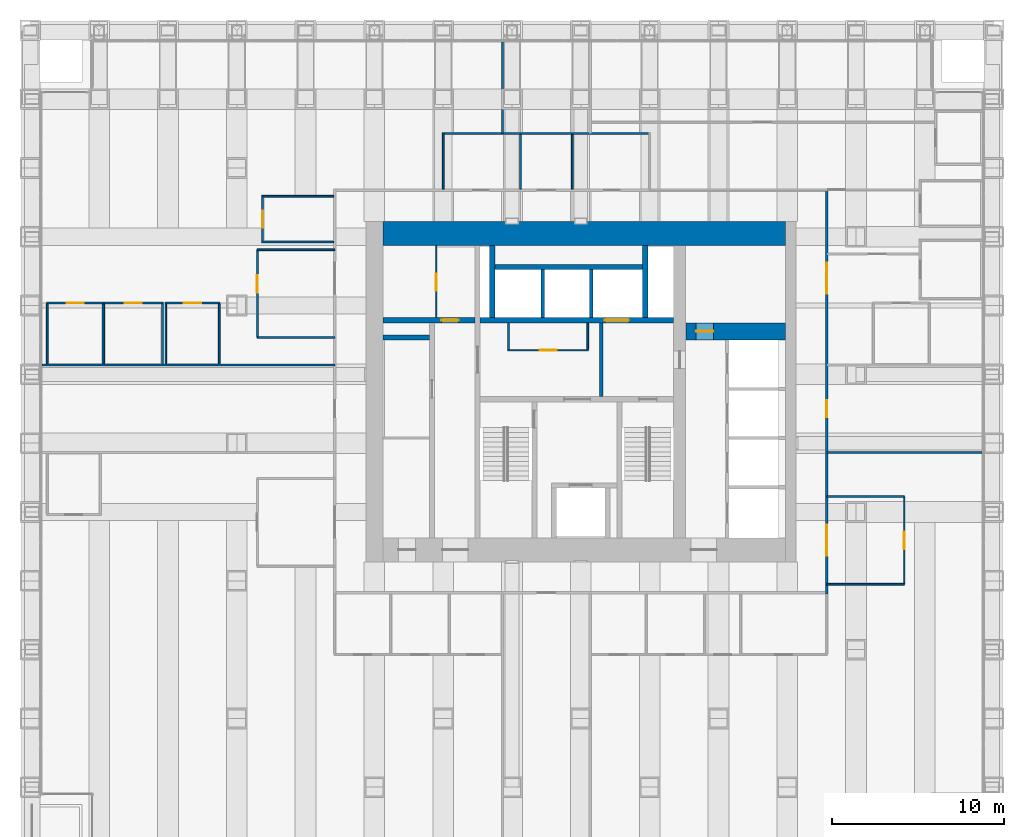
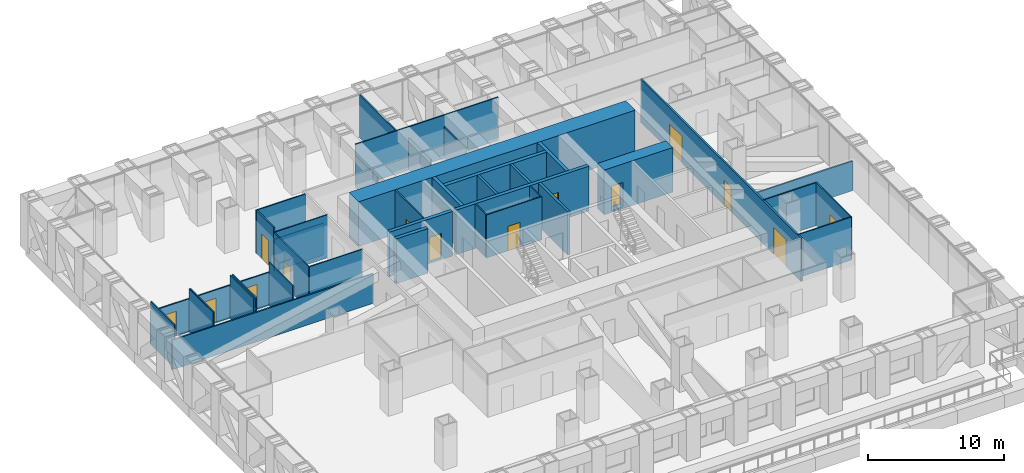
# One storey, part 14 of 18: 41 walls, 14 doors, 14 openings.
"""IFC4 building model written with IfcOpenShell, lengths in metres."""

from ifc_helpers import new_model, si_unit, direction, frame, frame_2d, origin, place, context, subcontext, project, spatial, rectangle, extrude, material, layer, layer_set, type_object, element, fill, save


model = new_model("IFC4")

# Units and contexts
model_context = context("Model", 3, precision=1e-05, world=origin(), true_north=direction((0.0, 1.0)))
body_context = subcontext(model_context, "Body", "Model", "MODEL_VIEW")
ifc_project = project(units=[si_unit("LENGTHUNIT", "METRE"), si_unit("AREAUNIT", "SQUARE_METRE"), si_unit("VOLUMEUNIT", "CUBIC_METRE"), si_unit("PLANEANGLEUNIT", "RADIAN"), si_unit("MASSUNIT", "GRAM", prefix="KILO")], contexts=[model_context])

# Site, building, storey
site_placement = place(None, origin())
site = spatial("IfcSite", under=ifc_project, at=site_placement, CompositionType="ELEMENT")
building_placement = place(site_placement, origin())
building = spatial("IfcBuilding", under=site, at=building_placement, Name="Rimbunsela Tower", CompositionType="ELEMENT")
storey_placement = place(building_placement, frame((0.0, 0.0, 43.0)))
storey = spatial("IfcBuildingStorey", under=building, at=storey_placement, Name="L10", CompositionType="ELEMENT", Elevation=43.0)

# Wall, opening, door
ifc_material_1 = material(Name="Concrete fc' 80 MPa", Category="concrete")
ifc_layer_1 = layer(ifc_material_1, 0.300048828125)
ifc_layer_set_1 = layer_set([ifc_layer_1], Name="Core internal wall 300")
wall_type_1 = type_object("IfcWallType", Name="Core internal wall 300", PredefinedType="SHEAR", material=ifc_layer_set_1)
wall_1_placement = place(storey_placement, frame((24.14990234375, 31.14990234375, -0.14990234375), z_axis=(0.0, 0.0, 1.0), x_axis=(1.0, 0.0, 0.0)))
wall_1 = element("IfcWall", 1, at=wall_1_placement, inside=storey, type_object=wall_type_1, Name="Lift shaft front north", PredefinedType="SHEAR", context=body_context, shape_type="SweptSolid", body=[
    extrude(rectangle(XDim=11.25, YDim=0.300048828125, at=frame_2d((5.625, 0.0))), origin(), (0.0, 0.0, 1.0), 4.0),
])
opening_1_placement = place(wall_1_placement, frame((7.25, 0.0, 0.14990234375)))
opening_1 = element("IfcOpeningElement", 2, at=opening_1_placement, cuts=wall_1, Name="Opening LD3", PredefinedType="OPENING", context=body_context, shape_type="SweptSolid", body=[
    extrude(rectangle(XDim=1.39990234375, YDim=2.39990234375, at=frame_2d((0.699951171875, 1.199951171875))), frame((0.0, 0.159912109375, 0.0), z_axis=(0.0, -1.0, 0.0), x_axis=(1.0, 0.0, 0.0)), (0.0, 0.0, 1.0), 0.320068359375),
])
ifc_material_2 = material(Name="Steel door, fire rated", Category="steel")
door_type_1 = type_object("IfcDoorType", Name="Lift landing door 1400", OperationType="DOUBLE_DOOR_SLIDING", PredefinedType="DOOR", material=ifc_material_2)
door_1_placement = place(opening_1_placement, origin())
door_1 = element("IfcDoor", 3, at=door_1_placement, inside=storey, type_object=door_type_1, Name="Lift landing door FL2", OperationType="DOUBLE_DOOR_SLIDING", OverallHeight=2.39990234375, OverallWidth=1.39990234375, PredefinedType="DOOR", context=body_context, shape_type="SweptSolid", body=[
    extrude(rectangle(XDim=1.39990234375, YDim=2.39990234375, at=frame_2d((0.699951171875, 1.199951171875))), frame((0.0, 0.02490234375, 0.0), z_axis=(0.0, -1.0, 0.0), x_axis=(1.0, 0.0, 0.0)), (0.0, 0.0, 1.0), 0.050048828125),
])
fill(opening_1, door_1)

wall_2_placement = place(storey_placement, frame((18.5, 31.14990234375, -0.14990234375), z_axis=(0.0, 0.0, 1.0), x_axis=(1.0, 0.0, 0.0)))
wall_2 = element("IfcWall", 4, at=wall_2_placement, inside=storey, type_object=wall_type_1, Name="Store wall", PredefinedType="SHEAR", context=body_context, shape_type="SweptSolid", body=[
    extrude(rectangle(XDim=5.35009765625, YDim=0.300048828125, at=frame_2d((2.675048828125, 0.0))), origin(), (0.0, 0.0, 1.0), 4.0),
])
opening_2_placement = place(wall_2_placement, frame((3.39990234375, 0.0, 0.14990234375)))
opening_2 = element("IfcOpeningElement", 5, at=opening_2_placement, cuts=wall_2, Name="Opening D19", PredefinedType="OPENING", context=body_context, shape_type="SweptSolid", body=[
    extrude(rectangle(XDim=1.0, YDim=2.199951171875, at=frame_2d((0.5, 1.10009765625))), frame((0.0, 0.159912109375, 0.0), z_axis=(0.0, -1.0, 0.0), x_axis=(1.0, 0.0, 0.0)), (0.0, 0.0, 1.0), 0.320068359375),
])
ifc_material_3 = material(Name="Steel door, fire rated", Category="steel")
door_type_2 = type_object("IfcDoorType", Name="Service door 1000 fire rated", OperationType="SINGLE_SWING_LEFT", PredefinedType="DOOR", material=ifc_material_3)
door_2_placement = place(opening_2_placement, origin())
door_2 = element("IfcDoor", 6, at=door_2_placement, inside=storey, type_object=door_type_2, Name="Staff pantry door", OperationType="SINGLE_SWING_LEFT", OverallHeight=2.199951171875, OverallWidth=1.0, PredefinedType="DOOR", context=body_context, shape_type="SweptSolid", body=[
    extrude(rectangle(XDim=1.0, YDim=2.199951171875, at=frame_2d((0.5, 1.10009765625))), frame((0.0, 0.02490234375, 0.0), z_axis=(0.0, -1.0, 0.0), x_axis=(1.0, 0.0, 0.0)), (0.0, 0.0, 1.0), 0.050048828125),
])
fill(opening_2, door_2)

# Walls
wall_3_placement = place(storey_placement, frame((18.5, 30.14990234375, -0.14990234375), z_axis=(0.0, 0.0, 1.0), x_axis=(1.0, 0.0, 0.0)))
element("IfcWall", 7, at=wall_3_placement, inside=storey, type_object=wall_type_1, Name="Lift shaft rear west", PredefinedType="SHEAR", context=body_context, shape_type="SweptSolid", body=[
    extrude(rectangle(XDim=2.699951171875, YDim=0.300048828125, at=frame_2d((1.35009765625, 0.0))), origin(), (0.0, 0.0, 1.0), 4.0),
])
for number, where, z_axis, x_axis, name in (
    (8, (24.85009765625, 31.300048828125, -0.14990234375), (0.0, 0.0, 1.0), (0.0, 1.0, 0.0), "Riser wall"),
    (9, (33.75, 31.300048828125, -0.14990234375), (0.0, 0.0, 1.0), (0.0, 1.0, 0.0), "Riser wall"),
):
    element("IfcWall", number, at=place(storey_placement, frame(where, z_axis=z_axis, x_axis=x_axis)), inside=storey, type_object=wall_type_1, Name=name, PredefinedType="SHEAR", context=body_context, shape_type="SweptSolid", body=[
        extrude(rectangle(XDim=4.199951171875, YDim=0.300048828125, at=frame_2d((2.10009765625, 0.0))), origin(), (0.0, 0.0, 1.0), 4.0),
    ])
wall_4_placement = place(storey_placement, frame((25.0, 34.25, -0.14990234375), z_axis=(0.0, 0.0, 1.0), x_axis=(1.0, 0.0, 0.0)))
element("IfcWall", 10, at=wall_4_placement, inside=storey, type_object=wall_type_1, Name="Lift shaft rear north", PredefinedType="SHEAR", context=body_context, shape_type="SweptSolid", body=[
    extrude(rectangle(XDim=8.60009765625, YDim=0.300048828125, at=frame_2d((4.300048828125, 0.0))), origin(), (0.0, 0.0, 1.0), 4.0),
])

# Wall, opening, door
ifc_material_4 = material(Name="Concrete blockwork", Category="masonry")
ifc_layer_2 = layer(ifc_material_4, 0.10009765625)
ifc_layer_set_2 = layer_set([ifc_layer_2], Name="Core room partition 100")
wall_type_2 = type_object("IfcWallType", Name="Core room partition 100", PredefinedType="PARTITIONING", material=ifc_layer_set_2)
wall_5_placement = place(storey_placement, frame((21.60009765625, 31.300048828125, 0.0), z_axis=(0.0, 0.0, 1.0), x_axis=(0.0, 1.0, 0.0)))
wall_5 = element("IfcWall", 11, at=wall_5_placement, inside=storey, type_object=wall_type_2, Name="Tenant store wall", PredefinedType="PARTITIONING", context=body_context, shape_type="SweptSolid", body=[
    extrude(rectangle(XDim=4.199951171875, YDim=0.10009765625, at=frame_2d((2.10009765625, 0.0))), origin(), (0.0, 0.0, 1.0), 3.85009765625),
])
opening_3_placement = place(wall_5_placement, frame((1.550048828125, 0.0, 0.0)))
opening_3 = element("IfcOpeningElement", 12, at=opening_3_placement, cuts=wall_5, Name="Opening D19", PredefinedType="OPENING", context=body_context, shape_type="SweptSolid", body=[
    extrude(rectangle(XDim=1.0, YDim=2.199951171875, at=frame_2d((0.5, 1.10009765625))), frame((0.0, 0.06005859375, 0.0), z_axis=(0.0, -1.0, 0.0), x_axis=(1.0, 0.0, 0.0)), (0.0, 0.0, 1.0), 0.1201171875),
])
door_3_placement = place(opening_3_placement, origin())
door_3 = element("IfcDoor", 13, at=door_3_placement, inside=storey, type_object=door_type_2, Name="Tenant store door", OperationType="SINGLE_SWING_LEFT", OverallHeight=2.199951171875, OverallWidth=1.0, PredefinedType="DOOR", context=body_context, shape_type="SweptSolid", body=[
    extrude(rectangle(XDim=1.0, YDim=2.199951171875, at=frame_2d((0.5, 1.10009765625))), frame((0.0, 0.02490234375, 0.0), z_axis=(0.0, -1.0, 0.0), x_axis=(1.0, 0.0, 0.0)), (0.0, 0.0, 1.0), 0.050048828125),
])
fill(opening_3, door_3)

wall_6_placement = place(storey_placement, frame((25.75, 29.39990234375, 0.0), z_axis=(0.0, 0.0, 1.0), x_axis=(1.0, 0.0, 0.0)))
wall_6 = element("IfcWall", 14, at=wall_6_placement, inside=storey, type_object=wall_type_2, Name="Lobby room wall", PredefinedType="PARTITIONING", context=body_context, shape_type="SweptSolid", body=[
    extrude(rectangle(XDim=4.699951171875, YDim=0.10009765625, at=frame_2d((2.35009765625, 0.0))), origin(), (0.0, 0.0, 1.0), 3.85009765625),
])
opening_4_placement = place(wall_6_placement, frame((1.85009765625, 0.0, 0.0)))
opening_4 = element("IfcOpeningElement", 15, at=opening_4_placement, cuts=wall_6, Name="Opening D19", PredefinedType="OPENING", context=body_context, shape_type="SweptSolid", body=[
    extrude(rectangle(XDim=1.0, YDim=2.199951171875, at=frame_2d((0.5, 1.10009765625))), frame((0.0, 0.06005859375, 0.0), z_axis=(0.0, -1.0, 0.0), x_axis=(1.0, 0.0, 0.0)), (0.0, 0.0, 1.0), 0.1201171875),
])
door_4_placement = place(opening_4_placement, origin())
door_4 = element("IfcDoor", 16, at=door_4_placement, inside=storey, type_object=door_type_2, Name="Staff pantry door", OperationType="SINGLE_SWING_LEFT", OverallHeight=2.199951171875, OverallWidth=1.0, PredefinedType="DOOR", context=body_context, shape_type="SweptSolid", body=[
    extrude(rectangle(XDim=1.0, YDim=2.199951171875, at=frame_2d((0.5, 1.10009765625))), frame((0.0, 0.02490234375, 0.0), z_axis=(0.0, -1.0, 0.0), x_axis=(1.0, 0.0, 0.0)), (0.0, 0.0, 1.0), 0.050048828125),
])
fill(opening_4, door_4)

# Walls
for number, where, z_axis, x_axis, name in (
    (17, (25.800048828125, 29.449951171875, 0.0), (0.0, 0.0, 1.0), (0.0, 1.0, 0.0), "Lobby room wall"),
    (18, (30.39990234375, 29.449951171875, 0.0), (0.0, 0.0, 1.0), (0.0, 1.0, 0.0), "Lobby room wall"),
):
    element("IfcWall", number, at=place(storey_placement, frame(where, z_axis=z_axis, x_axis=x_axis)), inside=storey, type_object=wall_type_2, Name=name, PredefinedType="PARTITIONING", context=body_context, shape_type="SweptSolid", body=[
        extrude(rectangle(XDim=1.550048828125, YDim=0.10009765625, at=frame_2d((0.77490234375, 0.0))), origin(), (0.0, 0.0, 1.0), 3.85009765625),
    ])

# Wall, opening, door
ifc_material_5 = material(Name="Concrete fc' 80 MPa", Category="concrete")
ifc_layer_3 = layer(ifc_material_5, 1.0)
ifc_layer_set_3 = layer_set([ifc_layer_3], Name="Core wall 1000")
wall_type_3 = type_object("IfcWallType", Name="Core wall 1000", PredefinedType="SHEAR", material=ifc_layer_set_3)
wall_7_placement = place(storey_placement, frame((36.10009765625, 30.5, -0.14990234375), z_axis=(0.0, 0.0, 1.0), x_axis=(1.0, 0.0, 0.0)))
wall_7 = element("IfcWall", 19, at=wall_7_placement, inside=storey, type_object=wall_type_3, Name="Lift shaft rear east", PredefinedType="SHEAR", context=body_context, shape_type="SweptSolid", body=[
    extrude(rectangle(XDim=5.7998046875, YDim=1.0, at=frame_2d((2.89990234375, 0.0))), origin(), (0.0, 0.0, 1.0), 4.0),
])
opening_5_placement = place(wall_7_placement, frame((0.60009765625, 0.0, 0.14990234375)))
opening_5 = element("IfcOpeningElement", 20, at=opening_5_placement, cuts=wall_7, Name="Opening D19", PredefinedType="OPENING", context=body_context, shape_type="SweptSolid", body=[
    extrude(rectangle(XDim=1.0, YDim=2.199951171875, at=frame_2d((0.5, 1.10009765625))), frame((0.0, 0.510009765625, 0.0), z_axis=(0.0, -1.0, 0.0), x_axis=(1.0, 0.0, 0.0)), (0.0, 0.0, 1.0), 1.02001953125),
])
door_5_placement = place(opening_5_placement, origin())
door_5 = element("IfcDoor", 21, at=door_5_placement, inside=storey, type_object=door_type_2, Name="Communications room door", OperationType="SINGLE_SWING_LEFT", OverallHeight=2.199951171875, OverallWidth=1.0, PredefinedType="DOOR", context=body_context, shape_type="SweptSolid", body=[
    extrude(rectangle(XDim=1.0, YDim=2.199951171875, at=frame_2d((0.5, 1.10009765625))), frame((0.0, 0.02490234375, 0.0), z_axis=(0.0, -1.0, 0.0), x_axis=(1.0, 0.0, 0.0)), (0.0, 0.0, 1.0), 0.050048828125),
])
fill(opening_5, door_5)

# Walls
ifc_material_6 = material(Name="Concrete fc' 80 MPa", Category="concrete")
ifc_layer_4 = layer(ifc_material_6, 1.39990234375)
ifc_layer_set_4 = layer_set([ifc_layer_4], Name="Core wall 1400")
wall_type_4 = type_object("IfcWallType", Name="Core wall 1400", PredefinedType="SHEAR", material=ifc_layer_set_4)
wall_8_placement = place(storey_placement, frame((18.5, 36.199951171875, -0.14990234375), z_axis=(0.0, 0.0, 1.0), x_axis=(1.0, 0.0, 0.0)))
element("IfcWall", 22, at=wall_8_placement, inside=storey, type_object=wall_type_4, Name="Core wall north", PredefinedType="SHEAR", context=body_context, shape_type="SweptSolid", body=[
    extrude(rectangle(XDim=23.39990234375, YDim=1.39990234375, at=frame_2d((11.699951171875, 0.0))), origin(), (0.0, 0.0, 1.0), 4.0),
])
ifc_material_7 = material(Name="Concrete blockwork", Category="masonry")
ifc_layer_5 = layer(ifc_material_7, 0.199951171875)
ifc_layer_set_5 = layer_set([ifc_layer_5], Name="Lift shaft wall 200")
wall_type_5 = type_object("IfcWallType", Name="Lift shaft wall 200", PredefinedType="SOLIDWALL", material=ifc_layer_set_5)
for number, where, z_axis, x_axis, name in (
    (23, (27.800048828125, 31.300048828125, -0.14990234375), (0.0, 0.0, 1.0), (0.0, 1.0, 0.0), "Lift shaft separation"),
    (24, (30.60009765625, 31.300048828125, -0.14990234375), (0.0, 0.0, 1.0), (0.0, 1.0, 0.0), "Lift shaft separation"),
):
    element("IfcWall", number, at=place(storey_placement, frame(where, z_axis=z_axis, x_axis=x_axis)), inside=storey, type_object=wall_type_5, Name=name, PredefinedType="SOLIDWALL", context=body_context, shape_type="SweptSolid", body=[
        extrude(rectangle(XDim=2.800048828125, YDim=0.199951171875, at=frame_2d((1.39990234375, 0.0))), origin(), (0.0, 0.0, 1.0), 4.0),
    ])
wall_9_placement = place(storey_placement, frame((31.199951171875, 26.699951171875, 0.0), z_axis=(0.0, 0.0, 1.0), x_axis=(0.0, 1.0, 0.0)))
element("IfcWall", 25, at=wall_9_placement, inside=storey, type_object=wall_type_5, Name="Firefighting lobby 2 wall", PredefinedType="SOLIDWALL", context=body_context, shape_type="SweptSolid", body=[
    extrude(rectangle(XDim=4.300048828125, YDim=0.199951171875, at=frame_2d((2.14990234375, 0.0))), origin(), (0.0, 0.0, 1.0), 3.85009765625),
])

# Wall, opening, door
ifc_material_8 = material(Name="Gypsum board on steel studs", Category="steel")
ifc_layer_6 = layer(ifc_material_8, 0.10009765625)
ifc_layer_set_6 = layer_set([ifc_layer_6], Name="Office partition 100")
wall_type_6 = type_object("IfcWallType", Name="Office partition 100", PredefinedType="PARTITIONING", material=ifc_layer_set_6)
wall_10_placement = place(storey_placement, frame((-1.070068359375, 32.14990234375, 0.0), z_axis=(0.0, 0.0, 1.0), x_axis=(1.0, 0.0, 0.0)))
wall_10 = element("IfcWall", 26, at=wall_10_placement, inside=storey, type_object=wall_type_6, Name="Office partition", PredefinedType="PARTITIONING", context=body_context, shape_type="SweptSolid", body=[
    extrude(rectangle(XDim=3.35009765625, YDim=0.10009765625, at=frame_2d((1.675048828125, 0.0))), origin(), (0.0, 0.0, 1.0), 2.949951171875),
])
opening_6_placement = place(wall_10_placement, frame((1.175048828125, 0.0, 0.0)))
opening_6 = element("IfcOpeningElement", 27, at=opening_6_placement, cuts=wall_10, Name="Opening D16", PredefinedType="OPENING", context=body_context, shape_type="SweptSolid", body=[
    extrude(rectangle(XDim=1.0, YDim=2.199951171875, at=frame_2d((0.5, 1.10009765625))), frame((0.0, 0.06005859375, 0.0), z_axis=(0.0, -1.0, 0.0), x_axis=(1.0, 0.0, 0.0)), (0.0, 0.0, 1.0), 0.1201171875),
])
ifc_material_9 = material(Name="Timber door", Category="wood")
door_type_3 = type_object("IfcDoorType", Name="Office door 1000", OperationType="SINGLE_SWING_LEFT", PredefinedType="DOOR", material=ifc_material_9)
door_6_placement = place(opening_6_placement, origin())
door_6 = element("IfcDoor", 28, at=door_6_placement, inside=storey, type_object=door_type_3, Name="Office door", OperationType="SINGLE_SWING_LEFT", OverallHeight=2.199951171875, OverallWidth=1.0, PredefinedType="DOOR", context=body_context, shape_type="SweptSolid", body=[
    extrude(rectangle(XDim=1.0, YDim=2.199951171875, at=frame_2d((0.5, 1.10009765625))), frame((0.0, 0.02490234375, 0.0), z_axis=(0.0, -1.0, 0.0), x_axis=(1.0, 0.0, 0.0)), (0.0, 0.0, 1.0), 0.050048828125),
])
fill(opening_6, door_6)

wall_11_placement = place(storey_placement, frame((2.22998046875, 32.14990234375, 0.0), z_axis=(0.0, 0.0, 1.0), x_axis=(1.0, 0.0, 0.0)))
wall_11 = element("IfcWall", 29, at=wall_11_placement, inside=storey, type_object=wall_type_6, Name="Office partition", PredefinedType="PARTITIONING", context=body_context, shape_type="SweptSolid", body=[
    extrude(rectangle(XDim=3.5, YDim=0.10009765625, at=frame_2d((1.75, 0.0))), origin(), (0.0, 0.0, 1.0), 2.949951171875),
])
opening_7_placement = place(wall_11_placement, frame((1.25, 0.0, 0.0)))
opening_7 = element("IfcOpeningElement", 30, at=opening_7_placement, cuts=wall_11, Name="Opening D16", PredefinedType="OPENING", context=body_context, shape_type="SweptSolid", body=[
    extrude(rectangle(XDim=1.0, YDim=2.199951171875, at=frame_2d((0.5, 1.10009765625))), frame((0.0, 0.06005859375, 0.0), z_axis=(0.0, -1.0, 0.0), x_axis=(1.0, 0.0, 0.0)), (0.0, 0.0, 1.0), 0.1201171875),
])
door_7_placement = place(opening_7_placement, origin())
door_7 = element("IfcDoor", 31, at=door_7_placement, inside=storey, type_object=door_type_3, Name="Office door", OperationType="SINGLE_SWING_LEFT", OverallHeight=2.199951171875, OverallWidth=1.0, PredefinedType="DOOR", context=body_context, shape_type="SweptSolid", body=[
    extrude(rectangle(XDim=1.0, YDim=2.199951171875, at=frame_2d((0.5, 1.10009765625))), frame((0.0, 0.02490234375, 0.0), z_axis=(0.0, -1.0, 0.0), x_axis=(1.0, 0.0, 0.0)), (0.0, 0.0, 1.0), 0.050048828125),
])
fill(opening_7, door_7)

wall_12_placement = place(storey_placement, frame((5.830078125, 32.14990234375, 0.0), z_axis=(0.0, 0.0, 1.0), x_axis=(1.0, 0.0, 0.0)))
wall_12 = element("IfcWall", 32, at=wall_12_placement, inside=storey, type_object=wall_type_6, Name="Office partition", PredefinedType="PARTITIONING", context=body_context, shape_type="SweptSolid", body=[
    extrude(rectangle(XDim=3.199951171875, YDim=0.10009765625, at=frame_2d((1.60009765625, 0.0))), origin(), (0.0, 0.0, 1.0), 2.949951171875),
])
opening_8_placement = place(wall_12_placement, frame((1.10009765625, 0.0, 0.0)))
opening_8 = element("IfcOpeningElement", 33, at=opening_8_placement, cuts=wall_12, Name="Opening D16", PredefinedType="OPENING", context=body_context, shape_type="SweptSolid", body=[
    extrude(rectangle(XDim=1.0, YDim=2.199951171875, at=frame_2d((0.5, 1.10009765625))), frame((0.0, 0.06005859375, 0.0), z_axis=(0.0, -1.0, 0.0), x_axis=(1.0, 0.0, 0.0)), (0.0, 0.0, 1.0), 0.1201171875),
])
door_8_placement = place(opening_8_placement, origin())
door_8 = element("IfcDoor", 34, at=door_8_placement, inside=storey, type_object=door_type_3, Name="Office door", OperationType="SINGLE_SWING_LEFT", OverallHeight=2.199951171875, OverallWidth=1.0, PredefinedType="DOOR", context=body_context, shape_type="SweptSolid", body=[
    extrude(rectangle(XDim=1.0, YDim=2.199951171875, at=frame_2d((0.5, 1.10009765625))), frame((0.0, 0.02490234375, 0.0), z_axis=(0.0, -1.0, 0.0), x_axis=(1.0, 0.0, 0.0)), (0.0, 0.0, 1.0), 0.050048828125),
])
fill(opening_8, door_8)

# Walls
wall_13_placement = place(storey_placement, frame((11.449951171875, 35.699951171875, 0.0), z_axis=(0.0, 0.0, 1.0), x_axis=(1.0, 0.0, 0.0)))
element("IfcWall", 35, at=wall_13_placement, inside=storey, type_object=wall_type_6, Name="Office partition", PredefinedType="PARTITIONING", context=body_context, shape_type="SweptSolid", body=[
    extrude(rectangle(XDim=4.175048828125, YDim=0.10009765625, at=frame_2d((2.08740234375, 0.0))), origin(), (0.0, 0.0, 1.0), 2.85009765625),
])
wall_14_placement = place(storey_placement, frame((11.449951171875, 38.35009765625, 0.0), z_axis=(0.0, 0.0, 1.0), x_axis=(1.0, 0.0, 0.0)))
element("IfcWall", 36, at=wall_14_placement, inside=storey, type_object=wall_type_6, Name="Office partition", PredefinedType="PARTITIONING", context=body_context, shape_type="SweptSolid", body=[
    extrude(rectangle(XDim=4.175048828125, YDim=0.10009765625, at=frame_2d((2.08740234375, 0.0))), origin(), (0.0, 0.0, 1.0), 3.85009765625),
])
for number, where, z_axis, x_axis, name in (
    (37, (-1.02001953125, 28.610107421875, 0.0), (0.0, 0.0, 1.0), (0.0, 1.0, 0.0), "Office partition"),
    (38, (2.22998046875, 28.610107421875, 0.0), (0.0, 0.0, 1.0), (0.0, 1.0, 0.0), "Office partition"),
    (39, (2.280029296875, 28.610107421875, 0.0), (0.0, 0.0, 1.0), (0.0, 1.0, 0.0), "Office partition"),
    (40, (5.679931640625, 28.610107421875, 0.0), (0.0, 0.0, 1.0), (0.0, 1.0, 0.0), "Office partition"),
    (41, (5.8798828125, 28.610107421875, 0.0), (0.0, 0.0, 1.0), (0.0, 1.0, 0.0), "Office partition"),
    (42, (8.97998046875, 28.610107421875, 0.0), (0.0, 0.0, 1.0), (0.0, 1.0, 0.0), "Office partition"),
):
    element("IfcWall", number, at=place(storey_placement, frame(where, z_axis=z_axis, x_axis=x_axis)), inside=storey, type_object=wall_type_6, Name=name, PredefinedType="PARTITIONING", context=body_context, shape_type="SweptSolid", body=[
        extrude(rectangle(XDim=3.489990234375, YDim=0.10009765625, at=frame_2d((1.7451171875, 0.0))), origin(), (0.0, 0.0, 1.0), 3.85009765625),
    ])

# Wall, opening, door
wall_15_placement = place(storey_placement, frame((11.5, 35.75, 0.0), z_axis=(0.0, 0.0, 1.0), x_axis=(0.0, 1.0, 0.0)))
wall_15 = element("IfcWall", 43, at=wall_15_placement, inside=storey, type_object=wall_type_6, Name="Office partition", PredefinedType="PARTITIONING", context=body_context, shape_type="SweptSolid", body=[
    extrude(rectangle(XDim=2.550048828125, YDim=0.10009765625, at=frame_2d((1.27490234375, 0.0))), origin(), (0.0, 0.0, 1.0), 3.85009765625),
])
opening_9_placement = place(wall_15_placement, frame((0.77490234375, 0.0, 0.0)))
opening_9 = element("IfcOpeningElement", 44, at=opening_9_placement, cuts=wall_15, Name="Opening D16", PredefinedType="OPENING", context=body_context, shape_type="SweptSolid", body=[
    extrude(rectangle(XDim=1.0, YDim=2.199951171875, at=frame_2d((0.5, 1.10009765625))), frame((0.0, 0.06005859375, 0.0), z_axis=(0.0, -1.0, 0.0), x_axis=(1.0, 0.0, 0.0)), (0.0, 0.0, 1.0), 0.1201171875),
])
door_9_placement = place(opening_9_placement, origin())
door_9 = element("IfcDoor", 45, at=door_9_placement, inside=storey, type_object=door_type_3, Name="Office door", OperationType="SINGLE_SWING_LEFT", OverallHeight=2.199951171875, OverallWidth=1.0, PredefinedType="DOOR", context=body_context, shape_type="SweptSolid", body=[
    extrude(rectangle(XDim=1.0, YDim=2.199951171875, at=frame_2d((0.5, 1.10009765625))), frame((0.0, 0.02490234375, 0.0), z_axis=(0.0, -1.0, 0.0), x_axis=(1.0, 0.0, 0.0)), (0.0, 0.0, 1.0), 0.050048828125),
])
fill(opening_9, door_9)

# Wall
wall_16_placement = place(storey_placement, frame((15.699951171875, 35.25, 0.0), z_axis=(0.0, 0.0, 1.0), x_axis=(-1.0, 0.0, 0.0)))
element("IfcWall", 46, at=wall_16_placement, inside=storey, type_object=wall_type_6, Name="Office partition", PredefinedType="PARTITIONING", context=body_context, shape_type="SweptSolid", body=[
    extrude(rectangle(XDim=4.5, YDim=0.10009765625, at=frame_2d((2.25, 0.0))), origin(), (0.0, 0.0, 1.0), 3.85009765625),
])

# Wall, opening, door
wall_17_placement = place(storey_placement, frame((11.199951171875, 35.25, 0.0), z_axis=(0.0, 0.0, 1.0), x_axis=(0.0, -1.0, 0.0)))
wall_17 = element("IfcWall", 47, at=wall_17_placement, inside=storey, type_object=wall_type_6, Name="Office partition", PredefinedType="PARTITIONING", context=body_context, shape_type="SweptSolid", body=[
    extrude(rectangle(XDim=5.10009765625, YDim=0.10009765625, at=frame_2d((2.550048828125, 0.0))), origin(), (0.0, 0.0, 1.0), 3.85009765625),
])
opening_10_placement = place(wall_17_placement, frame((1.5, 0.0, 0.0)))
opening_10 = element("IfcOpeningElement", 48, at=opening_10_placement, cuts=wall_17, Name="Opening D17", PredefinedType="OPENING", context=body_context, shape_type="SweptSolid", body=[
    extrude(rectangle(XDim=1.0, YDim=2.199951171875, at=frame_2d((0.5, 1.10009765625))), frame((0.0, 0.06005859375, 0.0), z_axis=(0.0, -1.0, 0.0), x_axis=(1.0, 0.0, 0.0)), (0.0, 0.0, 1.0), 0.1201171875),
])
ifc_material_10 = material(Name="Glazed aluminium door", Category="aluminium")
door_type_4 = type_object("IfcDoorType", Name="Meeting room door 1000 glazed", OperationType="SINGLE_SWING_RIGHT", PredefinedType="DOOR", material=ifc_material_10)
door_10_placement = place(opening_10_placement, origin())
door_10 = element("IfcDoor", 49, at=door_10_placement, inside=storey, type_object=door_type_4, Name="Reception door", OperationType="SINGLE_SWING_RIGHT", OverallHeight=2.199951171875, OverallWidth=1.0, PredefinedType="DOOR", context=body_context, shape_type="SweptSolid", body=[
    extrude(rectangle(XDim=1.0, YDim=2.199951171875, at=frame_2d((0.5, 1.10009765625))), frame((0.0, 0.02490234375, 0.0), z_axis=(0.0, -1.0, 0.0), x_axis=(1.0, 0.0, 0.0)), (0.0, 0.0, 1.0), 0.050048828125),
])
fill(opening_10, door_10)

# Walls
for number, where, z_axis, x_axis, name in (
    (50, (11.199951171875, 30.14990234375, 0.0), (0.0, 0.0, 1.0), (1.0, 0.0, 0.0), "Office partition"),
    (51, (44.300048828125, 15.799072265625, 0.0), (0.0, 0.0, 1.0), (1.0, 0.0, 0.0), "Office partition"),
):
    element("IfcWall", number, at=place(storey_placement, frame(where, z_axis=z_axis, x_axis=x_axis)), inside=storey, type_object=wall_type_6, Name=name, PredefinedType="PARTITIONING", context=body_context, shape_type="SweptSolid", body=[
        extrude(rectangle(XDim=4.5, YDim=0.10009765625, at=frame_2d((2.25, 0.0))), origin(), (0.0, 0.0, 1.0), 3.85009765625),
    ])

# Wall, opening, door
wall_18_placement = place(storey_placement, frame((48.800048828125, 15.799072265625, 0.0), z_axis=(0.0, 0.0, 1.0), x_axis=(0.0, 1.0, 0.0)))
wall_18 = element("IfcWall", 52, at=wall_18_placement, inside=storey, type_object=wall_type_6, Name="Office partition", PredefinedType="PARTITIONING", context=body_context, shape_type="SweptSolid", body=[
    extrude(rectangle(XDim=5.099853515625, YDim=0.10009765625, at=frame_2d((2.5498046875, 0.0))), origin(), (0.0, 0.0, 1.0), 3.85009765625),
])
opening_11_placement = place(wall_18_placement, frame((2.050048828125, 0.0, 0.0)))
opening_11 = element("IfcOpeningElement", 53, at=opening_11_placement, cuts=wall_18, Name="Opening D17", PredefinedType="OPENING", context=body_context, shape_type="SweptSolid", body=[
    extrude(rectangle(XDim=1.0, YDim=2.199951171875, at=frame_2d((0.5, 1.10009765625))), frame((0.0, 0.06005859375, 0.0), z_axis=(0.0, -1.0, 0.0), x_axis=(1.0, 0.0, 0.0)), (0.0, 0.0, 1.0), 0.1201171875),
])
door_11_placement = place(opening_11_placement, origin())
door_11 = element("IfcDoor", 54, at=door_11_placement, inside=storey, type_object=door_type_4, Name="Reception door", OperationType="SINGLE_SWING_RIGHT", OverallHeight=2.199951171875, OverallWidth=1.0, PredefinedType="DOOR", context=body_context, shape_type="SweptSolid", body=[
    extrude(rectangle(XDim=1.0, YDim=2.199951171875, at=frame_2d((0.5, 1.10009765625))), frame((0.0, 0.02490234375, 0.0), z_axis=(0.0, -1.0, 0.0), x_axis=(1.0, 0.0, 0.0)), (0.0, 0.0, 1.0), 0.050048828125),
])
fill(opening_11, door_11)

# Wall
wall_19_placement = place(storey_placement, frame((48.800048828125, 20.89892578125, 0.0), z_axis=(0.0, 0.0, 1.0), x_axis=(-1.0, 0.0, 0.0)))
element("IfcWall", 55, at=wall_19_placement, inside=storey, type_object=wall_type_6, Name="Office partition", PredefinedType="PARTITIONING", context=body_context, shape_type="SweptSolid", body=[
    extrude(rectangle(XDim=4.5, YDim=0.10009765625, at=frame_2d((2.25, 0.0))), origin(), (0.0, 0.0, 1.0), 3.85009765625),
])

# Wall, openings, doors
ifc_material_11 = material(Name="Fire-rated gypsum board on steel studs, EI 60", Category="steel")
ifc_layer_7 = layer(ifc_material_11, 0.14990234375)
ifc_layer_set_7 = layer_set([ifc_layer_7], Name="Rated corridor wall 150")
wall_type_7 = type_object("IfcWallType", Name="Rated corridor wall 150", PredefinedType="PARTITIONING", material=ifc_layer_set_7)
wall_20_placement = place(storey_placement, frame((44.300048828125, 15.22509765625, 0.0), z_axis=(0.0, 0.0, 1.0), x_axis=(0.0, 1.0, 0.0)))
wall_20 = element("IfcWall", 56, at=wall_20_placement, inside=storey, type_object=wall_type_7, Name="Corridor wall east", PredefinedType="PARTITIONING", context=body_context, shape_type="SweptSolid", body=[
    extrude(rectangle(XDim=23.5498046875, YDim=0.14990234375, at=frame_2d((11.77490234375, 0.0))), origin(), (0.0, 0.0, 1.0), 3.85009765625),
])
opening_12_placement = place(wall_20_placement, frame((2.22412109375, 0.0, 0.0)))
opening_12 = element("IfcOpeningElement", 57, at=opening_12_placement, cuts=wall_20, Name="Opening D09", PredefinedType="OPENING", context=body_context, shape_type="SweptSolid", body=[
    extrude(rectangle(XDim=1.800048828125, YDim=2.39990234375, at=frame_2d((0.89990234375, 1.199951171875))), frame((0.0, 0.0849609375, 0.0), z_axis=(0.0, -1.0, 0.0), x_axis=(1.0, 0.0, 0.0)), (0.0, 0.0, 1.0), 0.169921875),
])
opening_13_placement = place(wall_20_placement, frame((17.47509765625, 0.0, 0.0)))
opening_13 = element("IfcOpeningElement", 58, at=opening_13_placement, cuts=wall_20, Name="Opening D09", PredefinedType="OPENING", context=body_context, shape_type="SweptSolid", body=[
    extrude(rectangle(XDim=1.800048828125, YDim=2.39990234375, at=frame_2d((0.89990234375, 1.199951171875))), frame((0.0, 0.0849609375, 0.0), z_axis=(0.0, -1.0, 0.0), x_axis=(1.0, 0.0, 0.0)), (0.0, 0.0, 1.0), 0.169921875),
])
opening_14_placement = place(wall_20_placement, frame((10.27490234375, 0.0, 0.0)))
opening_14 = element("IfcOpeningElement", 59, at=opening_14_placement, cuts=wall_20, Name="Opening D19", PredefinedType="OPENING", context=body_context, shape_type="SweptSolid", body=[
    extrude(rectangle(XDim=1.0, YDim=2.199951171875, at=frame_2d((0.5, 1.10009765625))), frame((0.0, 0.0849609375, 0.0), z_axis=(0.0, -1.0, 0.0), x_axis=(1.0, 0.0, 0.0)), (0.0, 0.0, 1.0), 0.169921875),
])
door_12_placement = place(opening_14_placement, origin())
door_12 = element("IfcDoor", 60, at=door_12_placement, inside=storey, type_object=door_type_2, Name="Service chase access door", OperationType="SINGLE_SWING_LEFT", OverallHeight=2.199951171875, OverallWidth=1.0, PredefinedType="DOOR", context=body_context, shape_type="SweptSolid", body=[
    extrude(rectangle(XDim=1.0, YDim=2.199951171875, at=frame_2d((0.5, 1.10009765625))), frame((0.0, 0.02490234375, 0.0), z_axis=(0.0, -1.0, 0.0), x_axis=(1.0, 0.0, 0.0)), (0.0, 0.0, 1.0), 0.050048828125),
])
fill(opening_14, door_12)
ifc_material_12 = material(Name="Glazed aluminium door, fire rated", Category="aluminium")
door_type_5 = type_object("IfcDoorType", Name="Tenancy door 1800 glazed", OperationType="DOUBLE_DOOR_DOUBLE_SWING", PredefinedType="DOOR", material=ifc_material_12)
door_13_placement = place(opening_12_placement, origin())
door_13 = element("IfcDoor", 61, at=door_13_placement, inside=storey, type_object=door_type_5, Name="Tenancy door", OperationType="DOUBLE_DOOR_DOUBLE_SWING", OverallHeight=2.39990234375, OverallWidth=1.800048828125, PredefinedType="DOOR", context=body_context, shape_type="SweptSolid", body=[
    extrude(rectangle(XDim=1.800048828125, YDim=2.39990234375, at=frame_2d((0.89990234375, 1.199951171875))), frame((0.0, 0.02490234375, 0.0), z_axis=(0.0, -1.0, 0.0), x_axis=(1.0, 0.0, 0.0)), (0.0, 0.0, 1.0), 0.050048828125),
])
fill(opening_12, door_13)
door_14_placement = place(opening_13_placement, origin())
door_14 = element("IfcDoor", 62, at=door_14_placement, inside=storey, type_object=door_type_5, Name="Tenancy door", OperationType="DOUBLE_DOOR_DOUBLE_SWING", OverallHeight=2.39990234375, OverallWidth=1.800048828125, PredefinedType="DOOR", context=body_context, shape_type="SweptSolid", body=[
    extrude(rectangle(XDim=1.800048828125, YDim=2.39990234375, at=frame_2d((0.89990234375, 1.199951171875))), frame((0.0, 0.02490234375, 0.0), z_axis=(0.0, -1.0, 0.0), x_axis=(1.0, 0.0, 0.0)), (0.0, 0.0, 1.0), 0.050048828125),
])
fill(opening_13, door_14)

# Walls
ifc_material_13 = material(Name="Gypsum board on steel studs", Category="steel")
ifc_layer_8 = layer(ifc_material_13, 0.1201171875)
ifc_layer_set_8 = layer_set([ifc_layer_8], Name="Tenancy partition 120")
wall_type_8 = type_object("IfcWallType", Name="Tenancy partition 120", PredefinedType="PARTITIONING", material=ifc_layer_set_8)
wall_21_placement = place(storey_placement, frame((-1.320068359375, 28.550048828125, 0.0), z_axis=(0.0, 0.0, 1.0), x_axis=(1.0, 0.0, 0.0)))
element("IfcWall", 63, at=wall_21_placement, inside=storey, type_object=wall_type_8, Name="Tenancy partition", PredefinedType="PARTITIONING", context=body_context, shape_type="SweptSolid", body=[
    extrude(rectangle(XDim=17.02001953125, YDim=0.1201171875, at=frame_2d((8.510009765625, 0.0))), origin(), (0.0, 0.0, 1.0), 2.64990234375),
])
wall_22_placement = place(storey_placement, frame((44.300048828125, 23.449951171875, 0.0), z_axis=(0.0, 0.0, 1.0), x_axis=(1.0, 0.0, 0.0)))
element("IfcWall", 64, at=wall_22_placement, inside=storey, type_object=wall_type_8, Name="Tenancy partition", PredefinedType="PARTITIONING", context=body_context, shape_type="SweptSolid", body=[
    extrude(rectangle(XDim=9.02001953125, YDim=0.1201171875, at=frame_2d((4.510009765625, 0.0))), origin(), (0.0, 0.0, 1.0), 2.64990234375),
])
wall_23_placement = place(storey_placement, frame((25.449951171875, 42.0, 0.0), z_axis=(0.0, 0.0, 1.0), x_axis=(0.0, 1.0, 0.0)))
element("IfcWall", 65, at=wall_23_placement, inside=storey, type_object=wall_type_8, Name="Tenancy partition", PredefinedType="PARTITIONING", context=body_context, shape_type="SweptSolid", body=[
    extrude(rectangle(XDim=5.320068359375, YDim=0.1201171875, at=frame_2d((2.66015625, 0.0))), origin(), (0.0, 0.0, 1.0), 3.85009765625),
])
ifc_material_14 = material(Name="Concrete blockwork", Category="masonry")
ifc_layer_9 = layer(ifc_material_14, 0.10009765625)
ifc_layer_set_9 = layer_set([ifc_layer_9], Name="Toilet partition 100")
wall_type_9 = type_object("IfcWallType", Name="Toilet partition 100", PredefinedType="PARTITIONING", material=ifc_layer_set_9)
wall_24_placement = place(storey_placement, frame((22.0, 38.77490234375, 0.0), z_axis=(0.0, 0.0, 1.0), x_axis=(0.0, 1.0, 0.0)))
element("IfcWall", 66, at=wall_24_placement, inside=storey, type_object=wall_type_9, Name="Toilet block wall west", PredefinedType="PARTITIONING", context=body_context, shape_type="SweptSolid", body=[
    extrude(rectangle(XDim=3.275146484375, YDim=0.10009765625, at=frame_2d((1.6376953125, 0.0))), origin(), (0.0, 0.0, 1.0), 2.85009765625),
])
wall_25_placement = place(storey_placement, frame((21.949951171875, 42.0, 0.0), z_axis=(0.0, 0.0, 1.0), x_axis=(1.0, 0.0, 0.0)))
element("IfcWall", 67, at=wall_25_placement, inside=storey, type_object=wall_type_9, Name="Toilet block wall north", PredefinedType="PARTITIONING", context=body_context, shape_type="SweptSolid", body=[
    extrude(rectangle(XDim=12.10009765625, YDim=0.10009765625, at=frame_2d((6.050048828125, 0.0))), origin(), (0.0, 0.0, 1.0), 3.85009765625),
])
for number, where, z_axis, x_axis, name in (
    (68, (26.5, 38.77490234375, 0.0), (0.0, 0.0, 1.0), (0.0, 1.0, 0.0), "Toilet partition"),
    (69, (29.5, 38.77490234375, 0.0), (0.0, 0.0, 1.0), (0.0, 1.0, 0.0), "Toilet partition"),
):
    element("IfcWall", number, at=place(storey_placement, frame(where, z_axis=z_axis, x_axis=x_axis)), inside=storey, type_object=wall_type_9, Name=name, PredefinedType="PARTITIONING", context=body_context, shape_type="SweptSolid", body=[
        extrude(rectangle(XDim=3.175048828125, YDim=0.10009765625, at=frame_2d((1.58740234375, 0.0))), origin(), (0.0, 0.0, 1.0), 2.85009765625),
    ])

save(model, "model.ifc")
